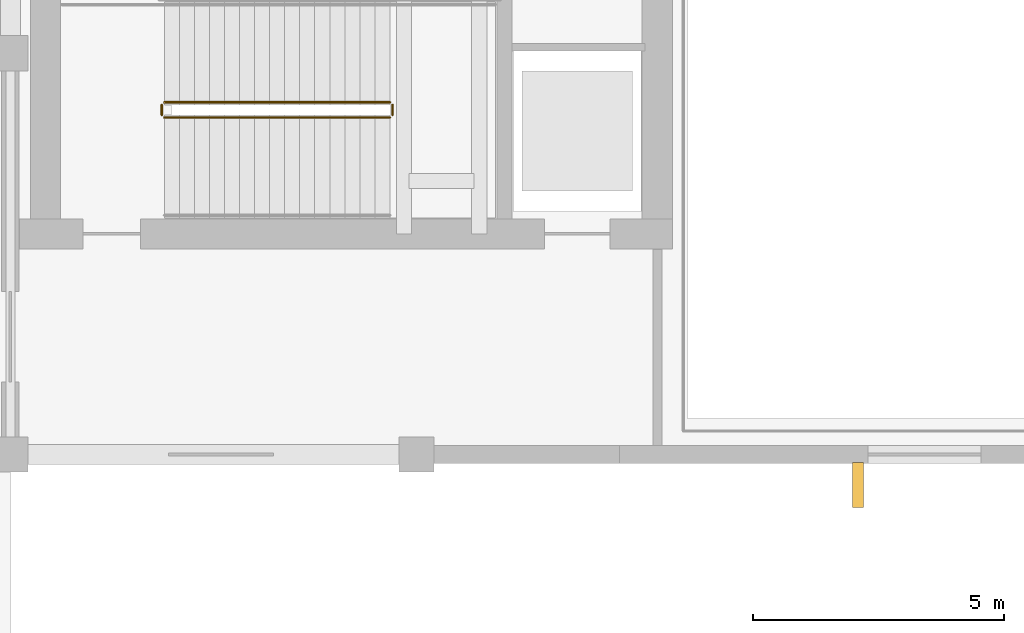
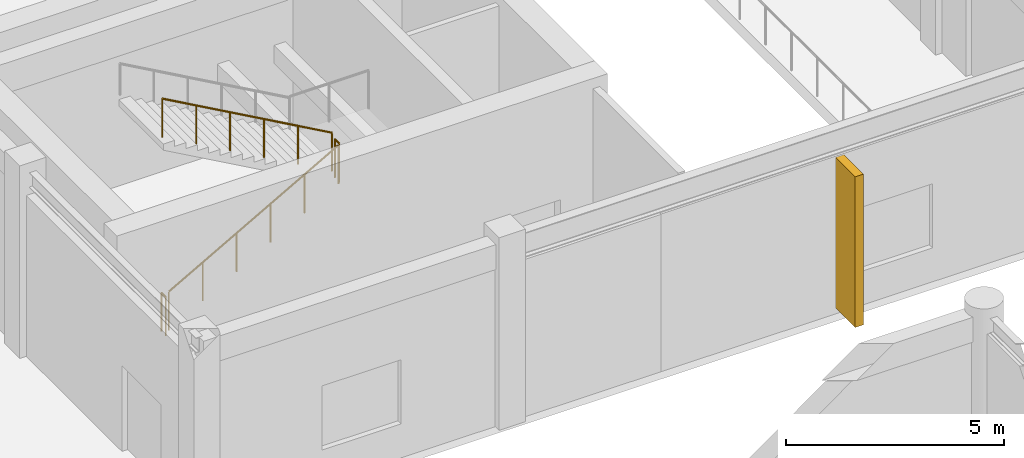
# One storey, part 56 of 62: 4 railings, 1 shading device.
"""IFC4 building model written with IfcOpenShell, lengths in metres."""

from ifc_helpers import new_model, si_unit, direction, frame, origin, origin_2d, place, context, subcontext, project, spatial, rectangle, circle, extrude, material, material_profile, profile_set, type_object, element, save


model = new_model("IFC4")

# Units and contexts
model_context = context("Model", 3, precision=1e-05, world=origin(), true_north=direction((0.0, 1.0)))
body_context = subcontext(model_context, "Body", "Model", "MODEL_VIEW")
ifc_project = project(units=[si_unit("LENGTHUNIT", "METRE"), si_unit("AREAUNIT", "SQUARE_METRE"), si_unit("VOLUMEUNIT", "CUBIC_METRE"), si_unit("PLANEANGLEUNIT", "RADIAN"), si_unit("MASSUNIT", "GRAM", prefix="KILO")], contexts=[model_context])

# Site, building, storey
site_placement = place(None, origin())
site = spatial("IfcSite", under=ifc_project, at=site_placement, CompositionType="ELEMENT")
building_placement = place(site_placement, origin())
building = spatial("IfcBuilding", under=site, at=building_placement, Name="Tarnveldt Square Police Headquarters", CompositionType="ELEMENT")
storey_placement = place(building_placement, origin())
storey = spatial("IfcBuildingStorey", under=building, at=storey_placement, Name="L00", CompositionType="ELEMENT", Elevation=0.0)

# Railings
ifc_material_1 = material(Name="Steel 350W", Category="steel")
railing_type = type_object("IfcRailingType", Name="RL-GR-1100", PredefinedType="GUARDRAIL", material=ifc_material_1)
railing_1_placement = place(storey_placement, frame((108.3701171875, 62.719970703125, 0.168701171875)))
element("IfcRailing", 1, at=railing_1_placement, inside=storey, type_object=railing_type, Name="L00 ST4 stair guard 1", PredefinedType="GUARDRAIL", context=body_context, shape_type="SweptSolid", body=[
    extrude(circle(Radius=0.02392578125, at=origin_2d()), frame((0.0, 0.0, 1.076171875), z_axis=(0.871575537125, 0.0, 0.490261239633), x_axis=(0.0, 1.0, 0.0)), (0.0, 0.0, 1.0), 5.1630859375),
    extrude(circle(Radius=0.02099609375, at=origin_2d()), origin(), (0.0, 0.0, 1.0), 1.052001953125),
    extrude(circle(Radius=0.02099609375, at=origin_2d()), frame((0.89990234375, 0.0, 0.50634765625)), (0.0, 0.0, 1.0), 1.052001953125),
    extrude(circle(Radius=0.02099609375, at=origin_2d()), frame((1.800048828125, 0.0, 1.012451171875)), (0.0, 0.0, 1.0), 1.052001953125),
    extrude(circle(Radius=0.02099609375, at=origin_2d()), frame((2.699951171875, 0.0, 1.518798828125)), (0.0, 0.0, 1.0), 1.052001953125),
    extrude(circle(Radius=0.02099609375, at=origin_2d()), frame((3.60009765625, 0.0, 2.02490234375)), (0.0, 0.0, 1.0), 1.052001953125),
    extrude(circle(Radius=0.02099609375, at=origin_2d()), frame((4.5, 0.0, 2.53125)), (0.0, 0.0, 1.0), 1.052001953125),
])
railing_2_placement = place(storey_placement, frame((112.919921875, 62.77001953125, 2.699951171875)))
element("IfcRailing", 2, at=railing_2_placement, inside=storey, type_object=railing_type, Name="L00 ST4 stair guard 2", PredefinedType="GUARDRAIL", context=body_context, shape_type="SweptSolid", body=[
    extrude(circle(Radius=0.02392578125, at=origin_2d()), frame((0.0, 0.0, 1.076171875), z_axis=(0.0, 1.0, 0.0), x_axis=(-1.0, 0.0, 0.0)), (0.0, 0.0, 1.0), 0.199951171875),
    extrude(circle(Radius=0.02099609375, at=origin_2d()), origin(), (0.0, 0.0, 1.0), 1.052001953125),
    extrude(circle(Radius=0.02099609375, at=origin_2d()), frame((0.0, 0.199951171875, 0.0)), (0.0, 0.0, 1.0), 1.052001953125),
])
railing_3_placement = place(storey_placement, frame((112.8701171875, 63.02001953125, 2.86865234375)))
element("IfcRailing", 3, at=railing_3_placement, inside=storey, type_object=railing_type, Name="L00 ST4 stair guard 4", PredefinedType="GUARDRAIL", context=body_context, shape_type="SweptSolid", body=[
    extrude(circle(Radius=0.02392578125, at=origin_2d()), frame((0.0, 0.0, 1.076171875), z_axis=(-0.871575537125, 0.0, 0.490261239633), x_axis=(0.0, -1.0, 0.0)), (0.0, 0.0, 1.0), 5.1630859375),
    extrude(circle(Radius=0.02099609375, at=origin_2d()), origin(), (0.0, 0.0, 1.0), 1.052001953125),
    extrude(circle(Radius=0.02099609375, at=origin_2d()), frame((-0.89990234375, 0.0, 0.50634765625)), (0.0, 0.0, 1.0), 1.052001953125),
    extrude(circle(Radius=0.02099609375, at=origin_2d()), frame((-1.800048828125, 0.0, 1.012451171875)), (0.0, 0.0, 1.0), 1.052001953125),
    extrude(circle(Radius=0.02099609375, at=origin_2d()), frame((-2.699951171875, 0.0, 1.518798828125)), (0.0, 0.0, 1.0), 1.052001953125),
    extrude(circle(Radius=0.02099609375, at=origin_2d()), frame((-3.60009765625, 0.0, 2.02490234375)), (0.0, 0.0, 1.0), 1.052001953125),
    extrude(circle(Radius=0.02099609375, at=origin_2d()), frame((-4.5, 0.0, 2.53125)), (0.0, 0.0, 1.0), 1.052001953125),
])
railing_4_placement = place(storey_placement, frame((108.320068359375, 62.77001953125, 0.0)))
element("IfcRailing", 4, at=railing_4_placement, inside=storey, type_object=railing_type, Name="L00 ST4 stair guard 5", PredefinedType="GUARDRAIL", context=body_context, shape_type="SweptSolid", body=[
    extrude(circle(Radius=0.02392578125, at=origin_2d()), frame((0.0, 0.0, 1.076171875), z_axis=(0.0, 1.0, 0.0), x_axis=(-1.0, 0.0, 0.0)), (0.0, 0.0, 1.0), 0.199951171875),
    extrude(circle(Radius=0.02099609375, at=origin_2d()), origin(), (0.0, 0.0, 1.0), 1.052001953125),
    extrude(circle(Radius=0.02099609375, at=origin_2d()), frame((0.0, 0.199951171875, 0.0)), (0.0, 0.0, 1.0), 1.052001953125),
])

# Shading device
ifc_material_2 = material(Name="Precast concrete 35 MPa", Category="concrete")
ifc_material_profile = material_profile(ifc_material_2, rectangle(XDim=0.219970703125, YDim=0.89990234375, at=origin_2d()), Name="PC-FIN220x900")
ifc_profile_set = profile_set([ifc_material_profile], Name="Precast concrete 35 MPa")
shading_device_type = type_object("IfcShadingDeviceType", Name="SHD-FIN-900", PredefinedType="USERDEFINED", material=ifc_profile_set)
shading_device_placement = place(storey_placement, frame((122.199951171875, 55.39501953125, 0.14990234375), z_axis=(0.0, 0.0, 1.0), x_axis=(1.0, 0.0, 0.0)))
element("IfcShadingDevice", 5, at=shading_device_placement, inside=storey, type_object=shading_device_type, Name="L00 Precast Deep-Reveal Brutalist Fin 006", ObjectType="SOLAR SHADING FIN", PredefinedType="USERDEFINED", context=body_context, shape_type="SweptSolid", body=[
    extrude(rectangle(XDim=0.219970703125, YDim=0.89990234375, at=origin_2d()), origin(), (0.0, 0.0, 1.0), 4.22412109375),
])

save(model, "model.ifc")
